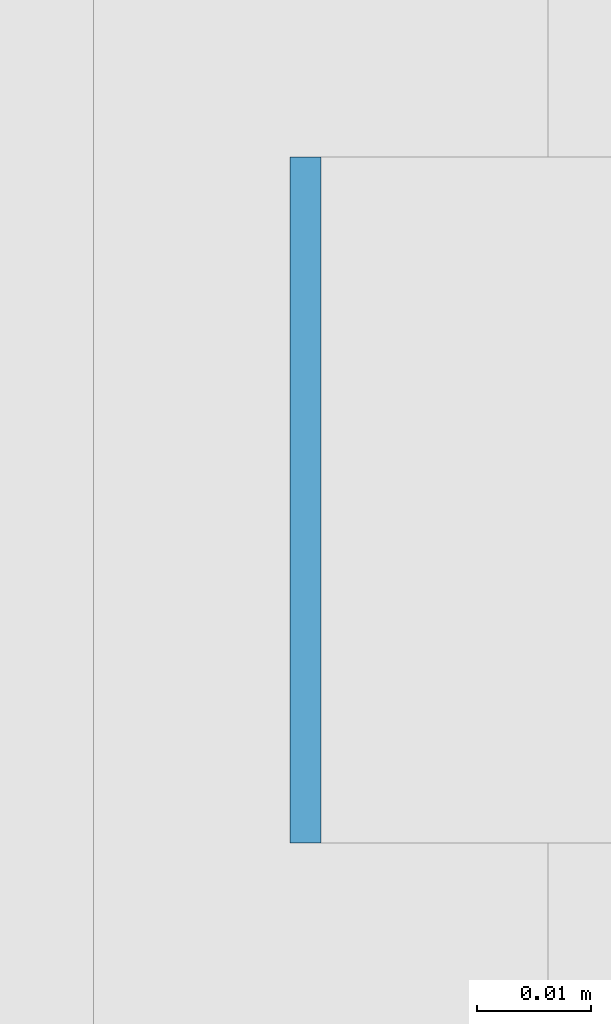
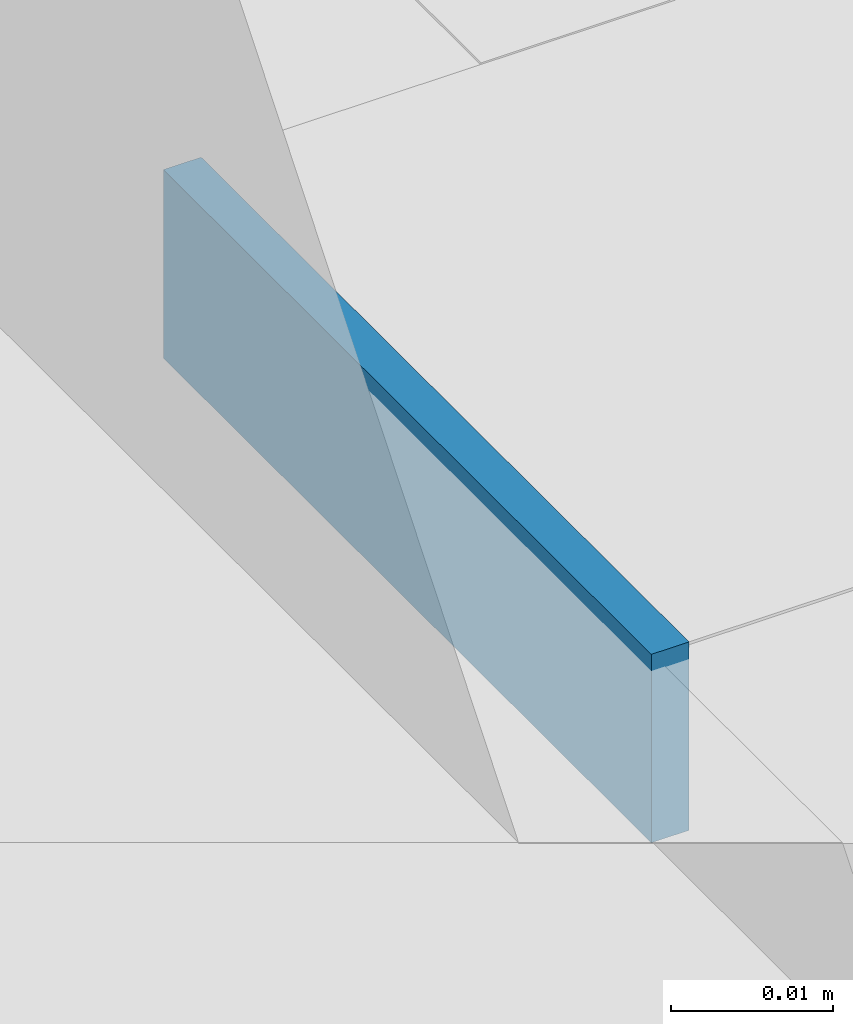
# One storey, part 543 of 646: 1 discrete accessory.
"""IFC4 building model written with IfcOpenShell, lengths in metres."""

from ifc_helpers import new_model, si_unit, direction, frame, origin, origin_2d, place, context, subcontext, project, spatial, rectangle, extrude, material, type_object, element, save


model = new_model("IFC4")

# Units and contexts
model_context = context("Model", 3, precision=1e-05, world=origin(), true_north=direction((0.0, 1.0)))
body_context = subcontext(model_context, "Body", "Model", "MODEL_VIEW")
ifc_project = project(units=[si_unit("LENGTHUNIT", "METRE"), si_unit("AREAUNIT", "SQUARE_METRE"), si_unit("VOLUMEUNIT", "CUBIC_METRE"), si_unit("PLANEANGLEUNIT", "RADIAN"), si_unit("MASSUNIT", "GRAM", prefix="KILO")], contexts=[model_context])

# Site, building, storey
site_placement = place(None, origin())
site = spatial("IfcSite", under=ifc_project, at=site_placement, CompositionType="ELEMENT")
building_placement = place(site_placement, origin())
building = spatial("IfcBuilding", under=site, at=building_placement, Name="Silverbay Arena", CompositionType="ELEMENT")
storey_placement = place(building_placement, frame((0.0, 0.0, 33.5)))
storey = spatial("IfcBuildingStorey", under=building, at=storey_placement, Name="L05", CompositionType="ELEMENT", Elevation=33.5)

# Discrete accessory
ifc_material = material(Name="Steel S355", Category="steel")
discrete_accessory_type = type_object("IfcDiscreteAccessoryType", Name="Steel bracket plate", PredefinedType="BRACKET", material=ifc_material)
discrete_accessory_placement = place(storey_placement, frame((207.128662109375, 91.28564453125, 12.98583984375), z_axis=(0.0, 0.0, 1.0), x_axis=(1.0, 0.0, 0.0)))
element("IfcDiscreteAccessory", 1, at=discrete_accessory_placement, inside=storey, type_object=discrete_accessory_type, Name="Curtain wall packing plate", PredefinedType="BRACKET", context=body_context, shape_type="SweptSolid", body=[
    extrude(rectangle(XDim=0.002685546875, YDim=0.06005859375, at=origin_2d()), origin(), (0.0, 0.0, 1.0), 0.01416015625),
])

save(model, "model.ifc")
